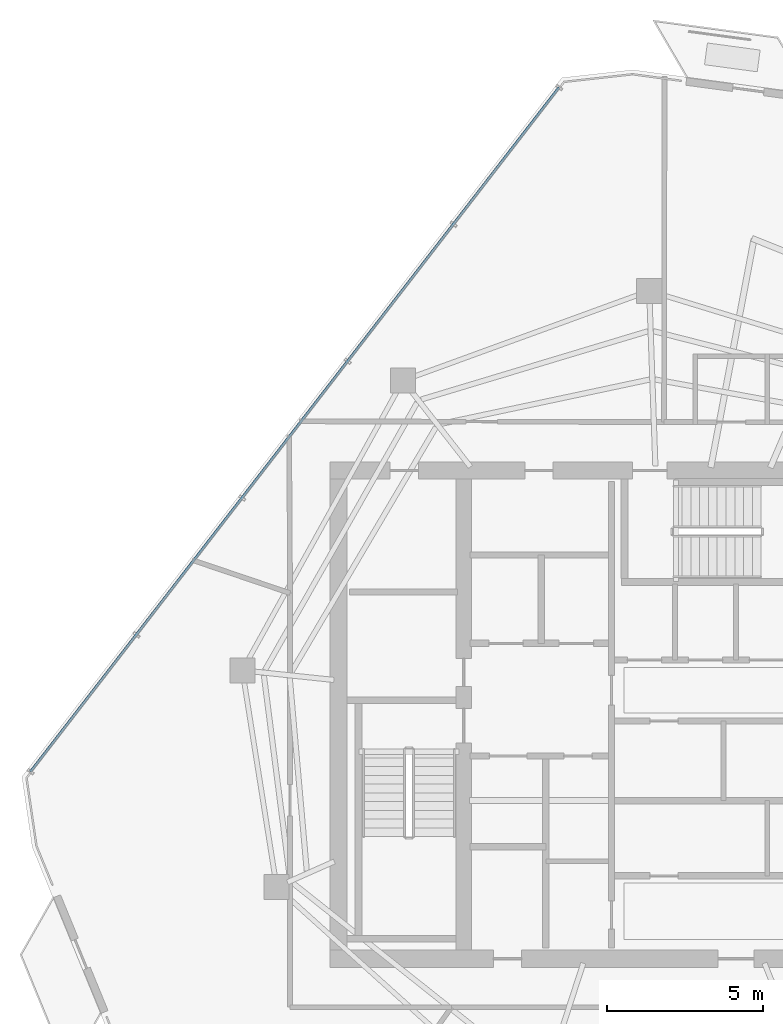
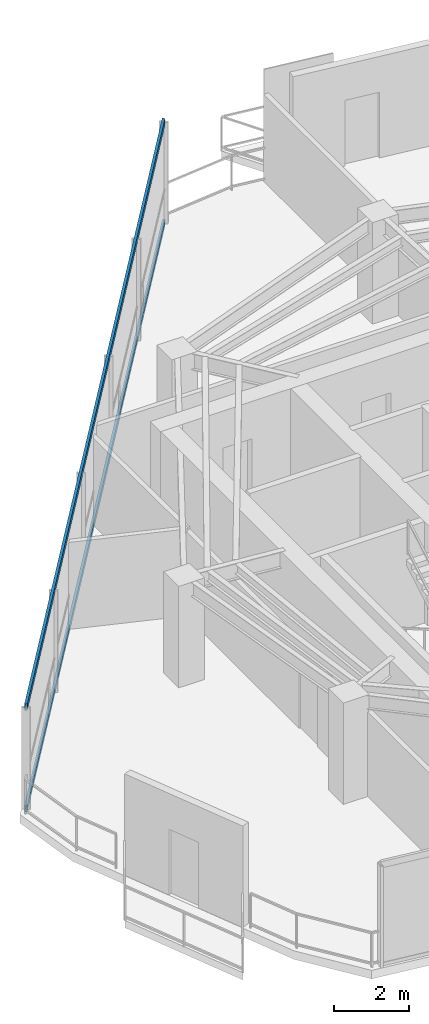
# One storey, part 7 of 19: 2 members, 1 element without a shape of its own.
"""IFC4 building model written with IfcOpenShell, lengths in metres."""

from ifc_helpers import new_model, si_unit, direction, frame, origin, origin_2d, place, context, subcontext, project, spatial, hollow_rectangle, extrude, material, layer, layer_set, material_profile, profile_set, type_object, element, aggregate, save


model = new_model("IFC4")

# Units and contexts
model_context = context("Model", 3, precision=1e-05, world=origin(), true_north=direction((0.0, 1.0)))
body_context = subcontext(model_context, "Body", "Model", "MODEL_VIEW")
ifc_project = project(units=[si_unit("LENGTHUNIT", "METRE"), si_unit("AREAUNIT", "SQUARE_METRE"), si_unit("VOLUMEUNIT", "CUBIC_METRE"), si_unit("PLANEANGLEUNIT", "RADIAN"), si_unit("MASSUNIT", "GRAM", prefix="KILO")], contexts=[model_context])

# Site, building, storey
site_placement = place(None, origin())
site = spatial("IfcSite", under=ifc_project, at=site_placement, CompositionType="ELEMENT")
building_placement = place(site_placement, origin())
building = spatial("IfcBuilding", under=site, at=building_placement, Name="Qarnah Convention Tower", CompositionType="ELEMENT")
storey_placement = place(building_placement, frame((0.0, 0.0, 264.300048828125)))
storey = spatial("IfcBuildingStorey", under=building, at=storey_placement, Name="L71", CompositionType="ELEMENT", Elevation=264.300048828125)

# Curtain wall, members
ifc_material_1 = material(Name="Tempered Low-E dark glass", Category="glass")
ifc_layer = layer(ifc_material_1, 0.176025390625)
ifc_layer_set = layer_set([ifc_layer], Name="Tempered Low-E dark glass")
curtain_wall_type = type_object("IfcCurtainWallType", Name="CWS-05", PredefinedType="NOTDEFINED", material=ifc_layer_set)
curtain_wall_placement = place(storey_placement, origin())
curtain_wall = element("IfcCurtainWall", 1, at=curtain_wall_placement, inside=storey, type_object=curtain_wall_type, Name="L71 unitised curtain wall CW-L71-F2", PredefinedType="NOTDEFINED")
ifc_material_2 = material(Name="Black anodised aluminium", Category="aluminium")
ifc_material_profile = material_profile(ifc_material_2, hollow_rectangle(XDim=0.080078125, YDim=0.2099609375, WallThickness=0.0048828125, at=origin_2d()), Name="TRN-80X210")
ifc_profile_set = profile_set([ifc_material_profile], Name="Black anodised aluminium")
member_type = type_object("IfcMemberType", Name="TRN-T5", PredefinedType="USERDEFINED", material=ifc_profile_set)
member_1_placement = place(storey_placement, frame((16.9580078125, 24.580078125, 0.0), z_axis=(0.611289289756, 0.791407230337, 0.0), x_axis=(-0.791407230337, 0.611289289756, 0.0)))
member_1 = element("IfcMember", 2, at=member_1_placement, type_object=member_type, Name="CW-L71-F2 transom 1", ObjectType="TRANSOM", PredefinedType="USERDEFINED", context=body_context, shape_type="SweptSolid", body=[
    extrude(hollow_rectangle(XDim=0.080078125, YDim=0.2099609375, WallThickness=0.0048828125, at=origin_2d()), origin(), (0.0, 0.0, 1.0), 27.626708984375),
])
member_2_placement = place(storey_placement, frame((16.9580078125, 24.580078125, 3.320068359375), z_axis=(0.611289289756, 0.791407230337, 0.0), x_axis=(-0.791407230337, 0.611289289756, 0.0)))
member_2 = element("IfcMember", 3, at=member_2_placement, type_object=member_type, Name="CW-L71-F2 transom 2", ObjectType="TRANSOM", PredefinedType="USERDEFINED", context=body_context, shape_type="SweptSolid", body=[
    extrude(hollow_rectangle(XDim=0.080078125, YDim=0.2099609375, WallThickness=0.0048828125, at=origin_2d()), origin(), (0.0, 0.0, 1.0), 27.626708984375),
])
aggregate(curtain_wall, [member_1, member_2])

save(model, "model.ifc")
